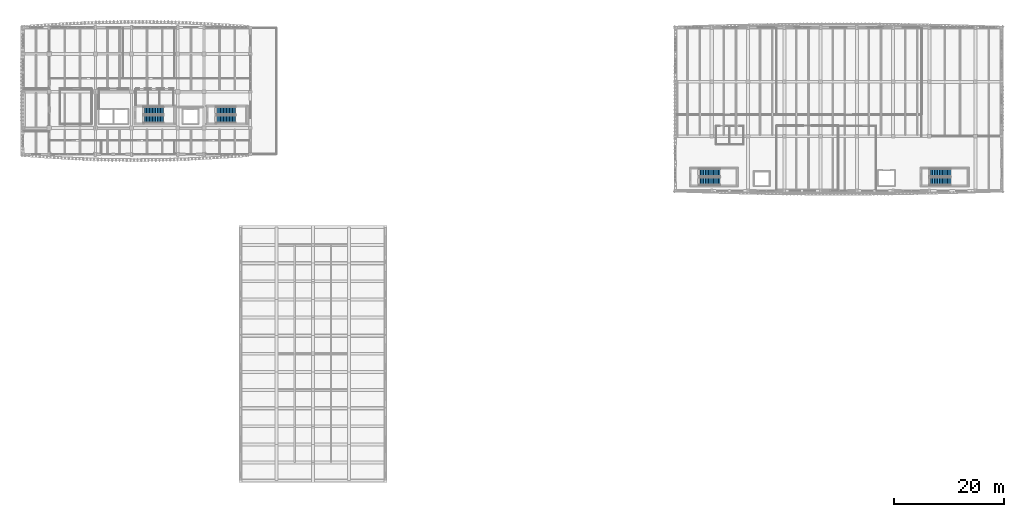
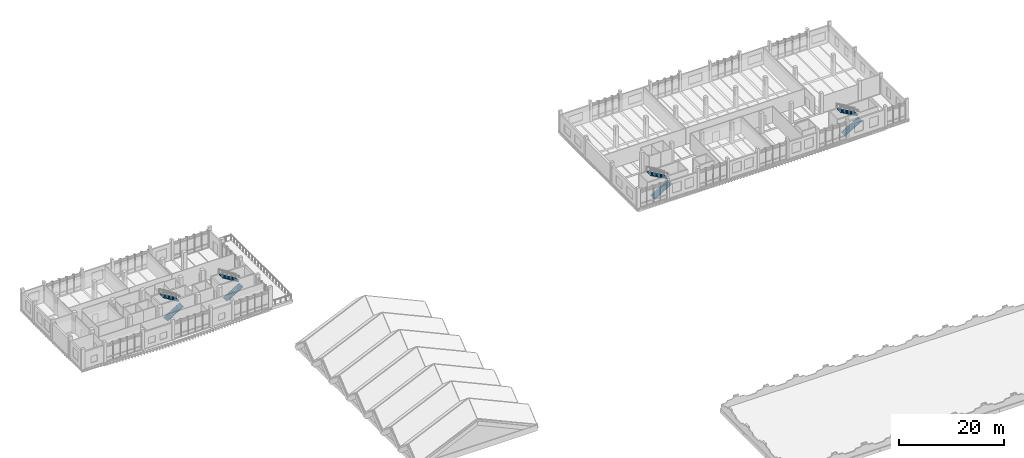
# One storey, part 34 of 50: 8 stair flights, 4 elements without a shape of their own.
"""IFC4 building model written with IfcOpenShell, lengths in metres."""

from ifc_helpers import new_model, si_unit, direction, frame, origin, place, context, subcontext, project, spatial, polyline, outline, extrude, material, type_object, element, aggregate, save


model = new_model("IFC4")

# Units and contexts
model_context = context("Model", 3, precision=1e-05, world=origin(), true_north=direction((0.0, 1.0)))
body_context = subcontext(model_context, "Body", "Model", "MODEL_VIEW")
ifc_project = project(units=[si_unit("LENGTHUNIT", "METRE"), si_unit("AREAUNIT", "SQUARE_METRE"), si_unit("VOLUMEUNIT", "CUBIC_METRE"), si_unit("PLANEANGLEUNIT", "RADIAN"), si_unit("MASSUNIT", "GRAM", prefix="KILO")], contexts=[model_context])

# Site, building, storey
site_placement = place(None, origin())
site = spatial("IfcSite", under=ifc_project, at=site_placement, CompositionType="ELEMENT")
building_placement = place(site_placement, origin())
building = spatial("IfcBuilding", under=site, at=building_placement, Name="Dornvale Research Institute", CompositionType="ELEMENT")
storey_placement = place(building_placement, frame((0.0, 0.0, 19.800048828125)))
storey = spatial("IfcBuildingStorey", under=building, at=storey_placement, Name="L04", CompositionType="ELEMENT", Elevation=19.800048828125)

# Stair, stair flights
ifc_material_1 = material(Name="Concrete f'c 45 MPa (C35/45)", Category="concrete")
stair_type = type_object("IfcStairType", Name="HalfTurnStair_RC", PredefinedType="HALF_TURN_STAIR", material=ifc_material_1)
stair_1_placement = place(storey_placement, origin())
stair_1 = element("IfcStair", 1, at=stair_1_placement, inside=storey, type_object=stair_type, Name="L04 Exit stair ST-1", PredefinedType="HALF_TURN_STAIR")
ifc_material_2 = material(Name="Concrete f'c 45 MPa (C35/45)", Category="concrete")
stair_flight_type = type_object("IfcStairFlightType", Name="StraightFlight_RC150", PredefinedType="STRAIGHT", material=ifc_material_2)
stair_flight_1_placement = place(storey_placement, frame((21.949951171875, 105.39990234375, 0.0), z_axis=(0.0, 0.0, 1.0), x_axis=(1.0, 0.0, 0.0)))
stair_flight_1 = element("IfcStairFlight", 2, at=stair_flight_1_placement, type_object=stair_flight_type, Name="ST-1 flight 1", NumberOfRisers=14, NumberOfTreads=13, PredefinedType="STRAIGHT", RiserHeight=0.171428571, TreadLength=0.28, context=body_context, shape_type="SweptSolid", body=[
    extrude(outline(polyline([(0.0, 0.0), (0.0, 0.17138671875), (0.280029296875, 0.17138671875), (0.280029296875, 0.3427734375), (0.56005859375, 0.3427734375), (0.56005859375, 0.514404296875), (0.840087890625, 0.514404296875), (0.840087890625, 0.685791015625), (1.1201171875, 0.685791015625), (1.1201171875, 0.857177734375), (1.39990234375, 0.857177734375), (1.39990234375, 1.028564453125), (1.679931640625, 1.028564453125), (1.679931640625, 1.199951171875), (1.9599609375, 1.199951171875), (1.9599609375, 1.371337890625), (2.239990234375, 1.371337890625), (2.239990234375, 1.54296875), (2.52001953125, 1.54296875), (2.52001953125, 1.71435546875), (2.800048828125, 1.71435546875), (2.800048828125, 1.8857421875), (3.080078125, 1.8857421875), (3.080078125, 2.05712890625), (3.360107421875, 2.05712890625), (3.360107421875, 2.228515625), (3.639892578125, 2.228515625), (3.639892578125, 2.39990234375), (3.639892578125, 2.052734375), (0.287109375, 0.0), (0.0, 0.0)])), frame((0.0, 0.699951171875, 0.0), z_axis=(0.0, -1.0, 0.0), x_axis=(1.0, 0.0, 0.0)), (0.0, 0.0, 1.0), 1.39990234375),
])
stair_flight_2_placement = place(storey_placement, frame((25.590087890625, 106.9599609375, 2.39990234375), z_axis=(0.0, 0.0, 1.0), x_axis=(-1.0, 0.0, 0.0)))
stair_flight_2 = element("IfcStairFlight", 3, at=stair_flight_2_placement, type_object=stair_flight_type, Name="ST-1 flight 2", NumberOfRisers=14, NumberOfTreads=13, PredefinedType="STRAIGHT", RiserHeight=0.171428571, TreadLength=0.28, context=body_context, shape_type="SweptSolid", body=[
    extrude(outline(polyline([(0.0, 0.0), (0.0, 0.17138671875), (0.280029296875, 0.17138671875), (0.280029296875, 0.3427734375), (0.56005859375, 0.3427734375), (0.56005859375, 0.514404296875), (0.840087890625, 0.514404296875), (0.840087890625, 0.685791015625), (1.1201171875, 0.685791015625), (1.1201171875, 0.857177734375), (1.39990234375, 0.857177734375), (1.39990234375, 1.028564453125), (1.679931640625, 1.028564453125), (1.679931640625, 1.199951171875), (1.9599609375, 1.199951171875), (1.9599609375, 1.371337890625), (2.239990234375, 1.371337890625), (2.239990234375, 1.54296875), (2.52001953125, 1.54296875), (2.52001953125, 1.71435546875), (2.800048828125, 1.71435546875), (2.800048828125, 1.8857421875), (3.080078125, 1.8857421875), (3.080078125, 2.05712890625), (3.360107421875, 2.05712890625), (3.360107421875, 2.228515625), (3.639892578125, 2.228515625), (3.639892578125, 2.39990234375), (3.639892578125, 2.052734375), (0.287109375, 0.0), (0.0, 0.0)])), frame((0.0, 0.699951171875, 0.0), z_axis=(0.0, -1.0, 0.0), x_axis=(1.0, 0.0, 0.0)), (0.0, 0.0, 1.0), 1.39990234375),
])
aggregate(stair_1, [stair_flight_1, stair_flight_2])

stair_2_placement = place(storey_placement, origin())
stair_2 = element("IfcStair", 4, at=stair_2_placement, inside=storey, type_object=stair_type, Name="L04 Exit stair ST-2", PredefinedType="HALF_TURN_STAIR")
stair_flight_3_placement = place(storey_placement, frame((35.10009765625, 105.39990234375, 0.0), z_axis=(0.0, 0.0, 1.0), x_axis=(1.0, 0.0, 0.0)))
stair_flight_3 = element("IfcStairFlight", 5, at=stair_flight_3_placement, type_object=stair_flight_type, Name="ST-2 flight 1", NumberOfRisers=14, NumberOfTreads=13, PredefinedType="STRAIGHT", RiserHeight=0.171428571, TreadLength=0.28, context=body_context, shape_type="SweptSolid", body=[
    extrude(outline(polyline([(0.0, 0.0), (0.0, 0.17138671875), (0.280029296875, 0.17138671875), (0.280029296875, 0.3427734375), (0.56005859375, 0.3427734375), (0.56005859375, 0.514404296875), (0.840087890625, 0.514404296875), (0.840087890625, 0.685791015625), (1.1201171875, 0.685791015625), (1.1201171875, 0.857177734375), (1.39990234375, 0.857177734375), (1.39990234375, 1.028564453125), (1.679931640625, 1.028564453125), (1.679931640625, 1.199951171875), (1.9599609375, 1.199951171875), (1.9599609375, 1.371337890625), (2.239990234375, 1.371337890625), (2.239990234375, 1.54296875), (2.52001953125, 1.54296875), (2.52001953125, 1.71435546875), (2.800048828125, 1.71435546875), (2.800048828125, 1.8857421875), (3.080078125, 1.8857421875), (3.080078125, 2.05712890625), (3.360107421875, 2.05712890625), (3.360107421875, 2.228515625), (3.639892578125, 2.228515625), (3.639892578125, 2.39990234375), (3.639892578125, 2.052734375), (0.287109375, 0.0), (0.0, 0.0)])), frame((0.0, 0.699951171875, 0.0), z_axis=(0.0, -1.0, 0.0), x_axis=(1.0, 0.0, 0.0)), (0.0, 0.0, 1.0), 1.39990234375),
])
stair_flight_4_placement = place(storey_placement, frame((38.739990234375, 106.9599609375, 2.39990234375), z_axis=(0.0, 0.0, 1.0), x_axis=(-1.0, 0.0, 0.0)))
stair_flight_4 = element("IfcStairFlight", 6, at=stair_flight_4_placement, type_object=stair_flight_type, Name="ST-2 flight 2", NumberOfRisers=14, NumberOfTreads=13, PredefinedType="STRAIGHT", RiserHeight=0.171428571, TreadLength=0.28, context=body_context, shape_type="SweptSolid", body=[
    extrude(outline(polyline([(0.0, 0.0), (0.0, 0.17138671875), (0.280029296875, 0.17138671875), (0.280029296875, 0.3427734375), (0.56005859375, 0.3427734375), (0.56005859375, 0.514404296875), (0.840087890625, 0.514404296875), (0.840087890625, 0.685791015625), (1.1201171875, 0.685791015625), (1.1201171875, 0.857177734375), (1.39990234375, 0.857177734375), (1.39990234375, 1.028564453125), (1.679931640625, 1.028564453125), (1.679931640625, 1.199951171875), (1.9599609375, 1.199951171875), (1.9599609375, 1.371337890625), (2.239990234375, 1.371337890625), (2.239990234375, 1.54296875), (2.52001953125, 1.54296875), (2.52001953125, 1.71435546875), (2.800048828125, 1.71435546875), (2.800048828125, 1.8857421875), (3.080078125, 1.8857421875), (3.080078125, 2.05712890625), (3.360107421875, 2.05712890625), (3.360107421875, 2.228515625), (3.639892578125, 2.228515625), (3.639892578125, 2.39990234375), (3.639892578125, 2.052734375), (0.287109375, 0.0), (0.0, 0.0)])), frame((0.0, 0.699951171875, 0.0), z_axis=(0.0, -1.0, 0.0), x_axis=(1.0, 0.0, 0.0)), (0.0, 0.0, 1.0), 1.39990234375),
])
aggregate(stair_2, [stair_flight_3, stair_flight_4])

stair_3_placement = place(storey_placement, origin())
stair_3 = element("IfcStair", 7, at=stair_3_placement, inside=storey, type_object=stair_type, Name="L04 Exit stair ST-3", PredefinedType="HALF_TURN_STAIR")
stair_flight_5_placement = place(storey_placement, frame((123.02001953125, 94.110107421875, 0.0), z_axis=(0.0, 0.0, 1.0), x_axis=(1.0, 0.0, 0.0)))
stair_flight_5 = element("IfcStairFlight", 8, at=stair_flight_5_placement, type_object=stair_flight_type, Name="ST-3 flight 1", NumberOfRisers=14, NumberOfTreads=13, PredefinedType="STRAIGHT", RiserHeight=0.171428571, TreadLength=0.3, context=body_context, shape_type="SweptSolid", body=[
    extrude(outline(polyline([(0.0, 0.0), (0.0, 0.17138671875), (0.300048828125, 0.17138671875), (0.300048828125, 0.3427734375), (0.60009765625, 0.3427734375), (0.60009765625, 0.514404296875), (0.89990234375, 0.514404296875), (0.89990234375, 0.685791015625), (1.199951171875, 0.685791015625), (1.199951171875, 0.857177734375), (1.5, 0.857177734375), (1.5, 1.028564453125), (1.800048828125, 1.028564453125), (1.800048828125, 1.199951171875), (2.10009765625, 1.199951171875), (2.10009765625, 1.371337890625), (2.39990234375, 1.371337890625), (2.39990234375, 1.54296875), (2.699951171875, 1.54296875), (2.699951171875, 1.71435546875), (3.0, 1.71435546875), (3.0, 1.8857421875), (3.300048828125, 1.8857421875), (3.300048828125, 2.05712890625), (3.60009765625, 2.05712890625), (3.60009765625, 2.228515625), (3.89990234375, 2.228515625), (3.89990234375, 2.39990234375), (3.89990234375, 2.055908203125), (0.30224609375, 0.0), (0.0, 0.0)])), frame((0.0, 0.7099609375, 0.0), z_axis=(0.0, -1.0, 0.0), x_axis=(1.0, 0.0, 0.0)), (0.0, 0.0, 1.0), 1.419921875),
])
stair_flight_6_placement = place(storey_placement, frame((126.919921875, 95.68994140625, 2.39990234375), z_axis=(0.0, 0.0, 1.0), x_axis=(-1.0, 0.0, 0.0)))
stair_flight_6 = element("IfcStairFlight", 9, at=stair_flight_6_placement, type_object=stair_flight_type, Name="ST-3 flight 2", NumberOfRisers=14, NumberOfTreads=13, PredefinedType="STRAIGHT", RiserHeight=0.171428571, TreadLength=0.3, context=body_context, shape_type="SweptSolid", body=[
    extrude(outline(polyline([(0.0, 0.0), (0.0, 0.17138671875), (0.300048828125, 0.17138671875), (0.300048828125, 0.3427734375), (0.60009765625, 0.3427734375), (0.60009765625, 0.514404296875), (0.89990234375, 0.514404296875), (0.89990234375, 0.685791015625), (1.199951171875, 0.685791015625), (1.199951171875, 0.857177734375), (1.5, 0.857177734375), (1.5, 1.028564453125), (1.800048828125, 1.028564453125), (1.800048828125, 1.199951171875), (2.10009765625, 1.199951171875), (2.10009765625, 1.371337890625), (2.39990234375, 1.371337890625), (2.39990234375, 1.54296875), (2.699951171875, 1.54296875), (2.699951171875, 1.71435546875), (3.0, 1.71435546875), (3.0, 1.8857421875), (3.300048828125, 1.8857421875), (3.300048828125, 2.05712890625), (3.60009765625, 2.05712890625), (3.60009765625, 2.228515625), (3.89990234375, 2.228515625), (3.89990234375, 2.39990234375), (3.89990234375, 2.055908203125), (0.30224609375, 0.0), (0.0, 0.0)])), frame((0.0, 0.7099609375, 0.0), z_axis=(0.0, -1.0, 0.0), x_axis=(1.0, 0.0, 0.0)), (0.0, 0.0, 1.0), 1.419921875),
])
aggregate(stair_3, [stair_flight_5, stair_flight_6])

stair_4_placement = place(storey_placement, origin())
stair_4 = element("IfcStair", 10, at=stair_4_placement, inside=storey, type_object=stair_type, Name="L04 Exit stair ST-4", PredefinedType="HALF_TURN_STAIR")
stair_flight_7_placement = place(storey_placement, frame((165.02001953125, 94.110107421875, 0.0), z_axis=(0.0, 0.0, 1.0), x_axis=(1.0, 0.0, 0.0)))
stair_flight_7 = element("IfcStairFlight", 11, at=stair_flight_7_placement, type_object=stair_flight_type, Name="ST-4 flight 1", NumberOfRisers=14, NumberOfTreads=13, PredefinedType="STRAIGHT", RiserHeight=0.171428571, TreadLength=0.3, context=body_context, shape_type="SweptSolid", body=[
    extrude(outline(polyline([(0.0, 0.0), (0.0, 0.17138671875), (0.300048828125, 0.17138671875), (0.300048828125, 0.3427734375), (0.60009765625, 0.3427734375), (0.60009765625, 0.514404296875), (0.89990234375, 0.514404296875), (0.89990234375, 0.685791015625), (1.199951171875, 0.685791015625), (1.199951171875, 0.857177734375), (1.5, 0.857177734375), (1.5, 1.028564453125), (1.800048828125, 1.028564453125), (1.800048828125, 1.199951171875), (2.10009765625, 1.199951171875), (2.10009765625, 1.371337890625), (2.39990234375, 1.371337890625), (2.39990234375, 1.54296875), (2.699951171875, 1.54296875), (2.699951171875, 1.71435546875), (3.0, 1.71435546875), (3.0, 1.8857421875), (3.300048828125, 1.8857421875), (3.300048828125, 2.05712890625), (3.60009765625, 2.05712890625), (3.60009765625, 2.228515625), (3.89990234375, 2.228515625), (3.89990234375, 2.39990234375), (3.89990234375, 2.055908203125), (0.30224609375, 0.0), (0.0, 0.0)])), frame((0.0, 0.7099609375, 0.0), z_axis=(0.0, -1.0, 0.0), x_axis=(1.0, 0.0, 0.0)), (0.0, 0.0, 1.0), 1.419921875),
])
stair_flight_8_placement = place(storey_placement, frame((168.919921875, 95.68994140625, 2.39990234375), z_axis=(0.0, 0.0, 1.0), x_axis=(-1.0, 0.0, 0.0)))
stair_flight_8 = element("IfcStairFlight", 12, at=stair_flight_8_placement, type_object=stair_flight_type, Name="ST-4 flight 2", NumberOfRisers=14, NumberOfTreads=13, PredefinedType="STRAIGHT", RiserHeight=0.171428571, TreadLength=0.3, context=body_context, shape_type="SweptSolid", body=[
    extrude(outline(polyline([(0.0, 0.0), (0.0, 0.17138671875), (0.300048828125, 0.17138671875), (0.300048828125, 0.3427734375), (0.60009765625, 0.3427734375), (0.60009765625, 0.514404296875), (0.89990234375, 0.514404296875), (0.89990234375, 0.685791015625), (1.199951171875, 0.685791015625), (1.199951171875, 0.857177734375), (1.5, 0.857177734375), (1.5, 1.028564453125), (1.800048828125, 1.028564453125), (1.800048828125, 1.199951171875), (2.10009765625, 1.199951171875), (2.10009765625, 1.371337890625), (2.39990234375, 1.371337890625), (2.39990234375, 1.54296875), (2.699951171875, 1.54296875), (2.699951171875, 1.71435546875), (3.0, 1.71435546875), (3.0, 1.8857421875), (3.300048828125, 1.8857421875), (3.300048828125, 2.05712890625), (3.60009765625, 2.05712890625), (3.60009765625, 2.228515625), (3.89990234375, 2.228515625), (3.89990234375, 2.39990234375), (3.89990234375, 2.055908203125), (0.30224609375, 0.0), (0.0, 0.0)])), frame((0.0, 0.7099609375, 0.0), z_axis=(0.0, -1.0, 0.0), x_axis=(1.0, 0.0, 0.0)), (0.0, 0.0, 1.0), 1.419921875),
])
aggregate(stair_4, [stair_flight_7, stair_flight_8])

save(model, "model.ifc")
